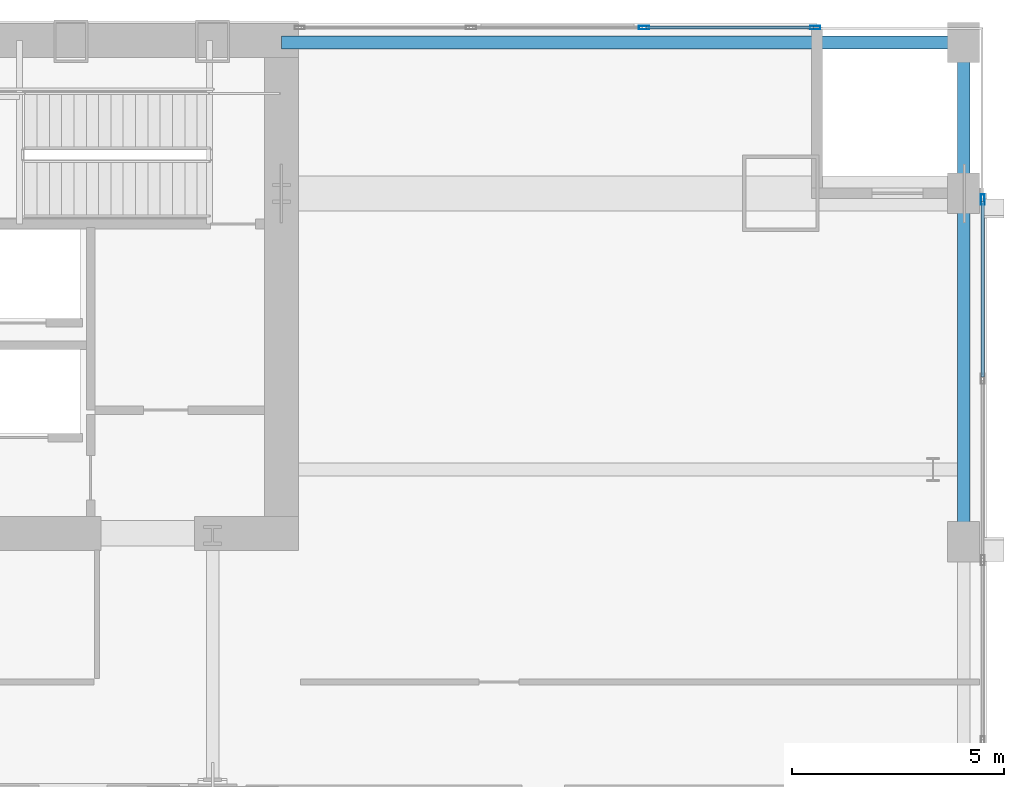
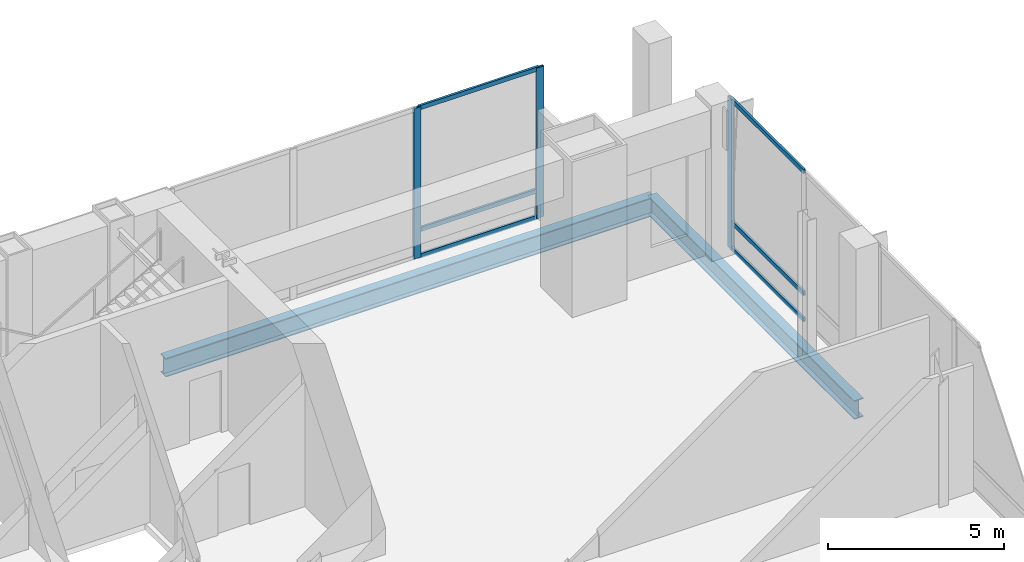
# One storey, part 17 of 26: 9 members, 2 beams, 2 elements without a shape of their own.
"""IFC4 building model written with IfcOpenShell, lengths in metres."""

from ifc_helpers import new_model, si_unit, direction, frame, origin, origin_2d, place, context, subcontext, project, spatial, hollow_rectangle, i_section, extrude, material, material_profile, profile_set, type_object, element, aggregate, save


model = new_model("IFC4")

# Units and contexts
model_context = context("Model", 3, precision=1e-05, world=origin(), true_north=direction((0.0, 1.0)))
body_context = subcontext(model_context, "Body", "Model", "MODEL_VIEW")
ifc_project = project(units=[si_unit("LENGTHUNIT", "METRE"), si_unit("AREAUNIT", "SQUARE_METRE"), si_unit("VOLUMEUNIT", "CUBIC_METRE"), si_unit("PLANEANGLEUNIT", "RADIAN"), si_unit("MASSUNIT", "GRAM", prefix="KILO")], contexts=[model_context])

# Site, building, storey
site_placement = place(None, origin())
site = spatial("IfcSite", under=ifc_project, at=site_placement, CompositionType="ELEMENT")
building_placement = place(site_placement, origin())
building = spatial("IfcBuilding", under=site, at=building_placement, Name="Khoronbel Lancet Exchange", CompositionType="ELEMENT")
storey_placement = place(building_placement, frame((0.0, 0.0, 20.39990234375)))
storey = spatial("IfcBuildingStorey", under=building, at=storey_placement, Name="L04", CompositionType="ELEMENT", Elevation=20.39990234375)

# Beams
ifc_material_1 = material(Name="Steel S355", Category="steel")
ifc_material_profile_1 = material_profile(ifc_material_1, i_section(OverallWidth=0.300048828125, OverallDepth=0.64990234375, WebThickness=0.01611328125, FlangeThickness=0.031005859375, at=origin_2d()), Name="HEB 650")
ifc_profile_set_1 = profile_set([ifc_material_profile_1], Name="Steel S355")
beam_type = type_object("IfcBeamType", Name="BM-BSP1", PredefinedType="SPANDREL", material=ifc_profile_set_1)
beam_1_placement = place(storey_placement, frame((72.35009765625, 41.5, -0.544921875), z_axis=(0.0, 1.0, 0.0), x_axis=(-1.0, 0.0, 0.0)))
element("IfcBeam", 1, at=beam_1_placement, inside=storey, type_object=beam_type, Name="Level L04 perimeter spandrel beam SP12", PredefinedType="SPANDREL", context=body_context, shape_type="SweptSolid", body=[
    extrude(i_section(OverallWidth=0.300048828125, OverallDepth=0.64990234375, WebThickness=0.01611328125, FlangeThickness=0.031005859375, at=origin_2d()), origin(), (0.0, 0.0, 1.0), 11.75),
])
beam_2_placement = place(storey_placement, frame((72.35009765625, 53.25, -0.544921875), z_axis=(-1.0, 0.0, 0.0), x_axis=(0.0, -1.0, 0.0)))
element("IfcBeam", 2, at=beam_2_placement, inside=storey, type_object=beam_type, Name="Level L04 perimeter spandrel beam SP13", PredefinedType="SPANDREL", context=body_context, shape_type="SweptSolid", body=[
    extrude(i_section(OverallWidth=0.300048828125, OverallDepth=0.64990234375, WebThickness=0.01611328125, FlangeThickness=0.031005859375, at=origin_2d()), origin(), (0.0, 0.0, 1.0), 16.050048828125),
])

# Curtain wall, member
ifc_material_2 = material(Name="Low-E Solar Control Insulating Glass", Category="glass")
curtain_wall_type = type_object("IfcCurtainWallType", Name="CW-5", PredefinedType="NOTDEFINED", material=ifc_material_2)
curtain_wall_1_placement = place(storey_placement, origin())
curtain_wall_1 = element("IfcCurtainWall", 3, at=curtain_wall_1_placement, inside=storey, type_object=curtain_wall_type, Name="Unitised curtain wall CW-L04-EAST", PredefinedType="NOTDEFINED")
ifc_material_3 = material(Name="Bronze-Anodised Aluminium 6063-T6", Category="aluminium")
ifc_material_profile_2 = material_profile(ifc_material_3, hollow_rectangle(XDim=0.0849609375, YDim=0.239990234375, WallThickness=0.006103515625, at=origin_2d()), Name="ALU MULLION 85x240")
ifc_profile_set_2 = profile_set([ifc_material_profile_2], Name="Bronze-Anodised Aluminium 6063-T6")
member_type_1 = type_object("IfcMemberType", Name="MEM-CWM1", PredefinedType="MULLION", material=ifc_profile_set_2)
member_1_placement = place(storey_placement, frame((72.800048828125, 49.5576171875, 0.0), z_axis=(0.0, 0.0, 1.0), x_axis=(-1.0, 0.0, 0.0)))
member_1 = element("IfcMember", 4, at=member_1_placement, type_object=member_type_1, Name="CW5 mullion 10", PredefinedType="MULLION", context=body_context, shape_type="SweptSolid", body=[
    extrude(hollow_rectangle(XDim=0.0849609375, YDim=0.239990234375, WallThickness=0.006103515625, at=origin_2d()), origin(), (0.0, 0.0, 1.0), 5.22021484375),
])

# Curtain wall, members
curtain_wall_2_placement = place(storey_placement, origin())
curtain_wall_2 = element("IfcCurtainWall", 5, at=curtain_wall_2_placement, inside=storey, type_object=curtain_wall_type, Name="Unitised curtain wall CW-L04-NE", PredefinedType="NOTDEFINED")
member_2_placement = place(storey_placement, frame((64.82666015625, 53.60009765625, 0.0), z_axis=(0.0, 0.0, 1.0), x_axis=(0.0, 1.0, 0.0)))
member_2 = element("IfcMember", 6, at=member_2_placement, type_object=member_type_1, Name="CW5 mullion 3", PredefinedType="MULLION", context=body_context, shape_type="SweptSolid", body=[
    extrude(hollow_rectangle(XDim=0.0849609375, YDim=0.239990234375, WallThickness=0.006103515625, at=origin_2d()), origin(), (0.0, 0.0, 1.0), 5.22021484375),
])
member_3_placement = place(storey_placement, frame((68.857421875, 53.60009765625, 0.0), z_axis=(0.0, 0.0, 1.0), x_axis=(0.0, 1.0, 0.0)))
member_3 = element("IfcMember", 7, at=member_3_placement, type_object=member_type_1, Name="CW5 mullion 4", PredefinedType="MULLION", context=body_context, shape_type="SweptSolid", body=[
    extrude(hollow_rectangle(XDim=0.0849609375, YDim=0.239990234375, WallThickness=0.006103515625, at=origin_2d()), origin(), (0.0, 0.0, 1.0), 5.22021484375),
])

# Member
ifc_material_profile_3 = material_profile(ifc_material_3, hollow_rectangle(XDim=0.074951171875, YDim=0.14990234375, WallThickness=0.00439453125, at=origin_2d()), Name="ALU TRANSOM 75x150")
ifc_profile_set_3 = profile_set([ifc_material_profile_3], Name="Bronze-Anodised Aluminium 6063-T6")
member_type_2 = type_object("IfcMemberType", Name="MEM-CWT2", PredefinedType="USERDEFINED", material=ifc_profile_set_3)
member_4_placement = place(storey_placement, frame((72.800048828125, 45.375732421875, 0.03759765625), z_axis=(0.0, 1.0, 0.0), x_axis=(-1.0, 0.0, 0.0)))
member_4 = element("IfcMember", 8, at=member_4_placement, type_object=member_type_2, Name="CW5 transom 9.1", ObjectType="TRANSOM", PredefinedType="USERDEFINED", context=body_context, shape_type="SweptSolid", body=[
    extrude(hollow_rectangle(XDim=0.074951171875, YDim=0.14990234375, WallThickness=0.00439453125, at=origin_2d()), origin(), (0.0, 0.0, 1.0), 4.13916015625),
])

member_5_placement = place(storey_placement, frame((72.800048828125, 45.375732421875, 0.9501953125), z_axis=(0.0, 1.0, 0.0), x_axis=(-1.0, 0.0, 0.0)))
member_5 = element("IfcMember", 9, at=member_5_placement, type_object=member_type_2, Name="CW5 transom 9.2", ObjectType="TRANSOM", PredefinedType="USERDEFINED", context=body_context, shape_type="SweptSolid", body=[
    extrude(hollow_rectangle(XDim=0.074951171875, YDim=0.14990234375, WallThickness=0.00439453125, at=origin_2d()), origin(), (0.0, 0.0, 1.0), 4.13916015625),
])

member_6_placement = place(storey_placement, frame((72.800048828125, 45.375732421875, 5.1826171875), z_axis=(0.0, 1.0, 0.0), x_axis=(-1.0, 0.0, 0.0)))
member_6 = element("IfcMember", 10, at=member_6_placement, type_object=member_type_2, Name="CW5 transom 9.3", ObjectType="TRANSOM", PredefinedType="USERDEFINED", context=body_context, shape_type="SweptSolid", body=[
    extrude(hollow_rectangle(XDim=0.074951171875, YDim=0.14990234375, WallThickness=0.00439453125, at=origin_2d()), origin(), (0.0, 0.0, 1.0), 4.13916015625),
])

aggregate(curtain_wall_1, [member_1, member_4, member_5, member_6])

member_7_placement = place(storey_placement, frame((64.869140625, 53.60009765625, 0.03759765625), z_axis=(1.0, 0.0, 0.0), x_axis=(0.0, 1.0, 0.0)))
member_7 = element("IfcMember", 11, at=member_7_placement, type_object=member_type_2, Name="CW5 transom 3.1", ObjectType="TRANSOM", PredefinedType="USERDEFINED", context=body_context, shape_type="SweptSolid", body=[
    extrude(hollow_rectangle(XDim=0.074951171875, YDim=0.14990234375, WallThickness=0.00439453125, at=origin_2d()), origin(), (0.0, 0.0, 1.0), 3.94580078125),
])

member_8_placement = place(storey_placement, frame((64.869140625, 53.60009765625, 0.9501953125), z_axis=(1.0, 0.0, 0.0), x_axis=(0.0, 1.0, 0.0)))
member_8 = element("IfcMember", 12, at=member_8_placement, type_object=member_type_2, Name="CW5 transom 3.2", ObjectType="TRANSOM", PredefinedType="USERDEFINED", context=body_context, shape_type="SweptSolid", body=[
    extrude(hollow_rectangle(XDim=0.074951171875, YDim=0.14990234375, WallThickness=0.00439453125, at=origin_2d()), origin(), (0.0, 0.0, 1.0), 3.94580078125),
])

member_9_placement = place(storey_placement, frame((64.869140625, 53.60009765625, 5.1826171875), z_axis=(1.0, 0.0, 0.0), x_axis=(0.0, 1.0, 0.0)))
member_9 = element("IfcMember", 13, at=member_9_placement, type_object=member_type_2, Name="CW5 transom 3.3", ObjectType="TRANSOM", PredefinedType="USERDEFINED", context=body_context, shape_type="SweptSolid", body=[
    extrude(hollow_rectangle(XDim=0.074951171875, YDim=0.14990234375, WallThickness=0.00439453125, at=origin_2d()), origin(), (0.0, 0.0, 1.0), 3.94580078125),
])

aggregate(curtain_wall_2, [member_2, member_3, member_7, member_8, member_9])

save(model, "model.ifc")
